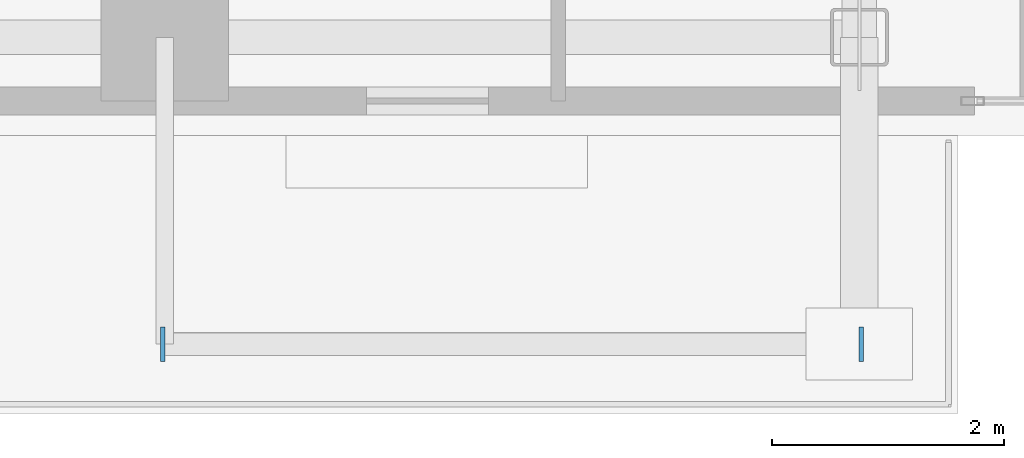
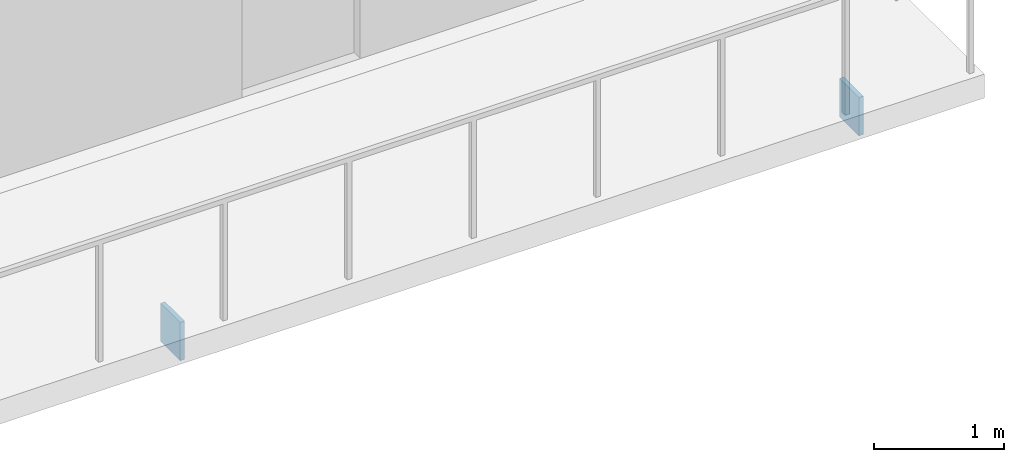
# One storey, part 20 of 28: 2 plates.
"""IFC4 building model written with IfcOpenShell, lengths in metres."""

from ifc_helpers import new_model, si_unit, direction, frame, origin, origin_2d, place, context, subcontext, project, spatial, rectangle, extrude, material, layer, layer_set, type_object, element, save


model = new_model("IFC4")

# Units and contexts
model_context = context("Model", 3, precision=1e-05, world=origin(), true_north=direction((0.0, 1.0)))
body_context = subcontext(model_context, "Body", "Model", "MODEL_VIEW")
ifc_project = project(units=[si_unit("LENGTHUNIT", "METRE"), si_unit("AREAUNIT", "SQUARE_METRE"), si_unit("VOLUMEUNIT", "CUBIC_METRE"), si_unit("PLANEANGLEUNIT", "RADIAN"), si_unit("MASSUNIT", "GRAM", prefix="KILO"), si_unit("THERMODYNAMICTEMPERATUREUNIT", "KELVIN"), si_unit("POWERUNIT", "WATT")], contexts=[model_context])

# Site, building, storey
site_placement = place(None, origin())
site = spatial("IfcSite", under=ifc_project, at=site_placement, CompositionType="ELEMENT")
building_placement = place(site_placement, origin())
building = spatial("IfcBuilding", under=site, at=building_placement, Name="Svarakhadi Broadcast Tower", CompositionType="ELEMENT")
storey_placement = place(building_placement, frame((0.0, 0.0, 103.35009765625)))
storey = spatial("IfcBuildingStorey", under=building, at=storey_placement, Name="L24", CompositionType="ELEMENT", Elevation=103.35009765625)

# Plates
ifc_material = material(Name="Steel S460ML (IS 2062 E450BR)", Category="steel")
ifc_layer = layer(ifc_material, 0.028076171875)
ifc_layer_set = layer_set([ifc_layer], Name="Steel S460ML (IS 2062 E450BR)")
plate_type = type_object("IfcPlateType", Name="Cap_Plate_CP02", PredefinedType="USERDEFINED", material=ifc_layer_set)
for number, where, z_axis, x_axis, name in (
    (1, (35.135009765625, -1.800048828125, -0.55517578125), (0.0, 0.0, 1.0), (1.0, 0.0, 0.0), "L24 Balcony Spandrel End Cap Plate 1F-A"),
    (2, (41.1650390625, -1.800048828125, -0.55517578125), (0.0, 0.0, 1.0), (1.0, 0.0, 0.0), "L24 Balcony Spandrel End Cap Plate 1F-B"),
):
    element("IfcPlate", number, at=place(storey_placement, frame(where, z_axis=z_axis, x_axis=x_axis)), inside=storey, type_object=plate_type, Name=name, ObjectType="FLANGE_PLATE", PredefinedType="USERDEFINED", context=body_context, shape_type="SweptSolid", body=[
        extrude(rectangle(XDim=0.0400390625, YDim=0.300048828125, at=origin_2d()), origin(), (0.0, 0.0, 1.0), 0.360107421875),
    ])

save(model, "model.ifc")
